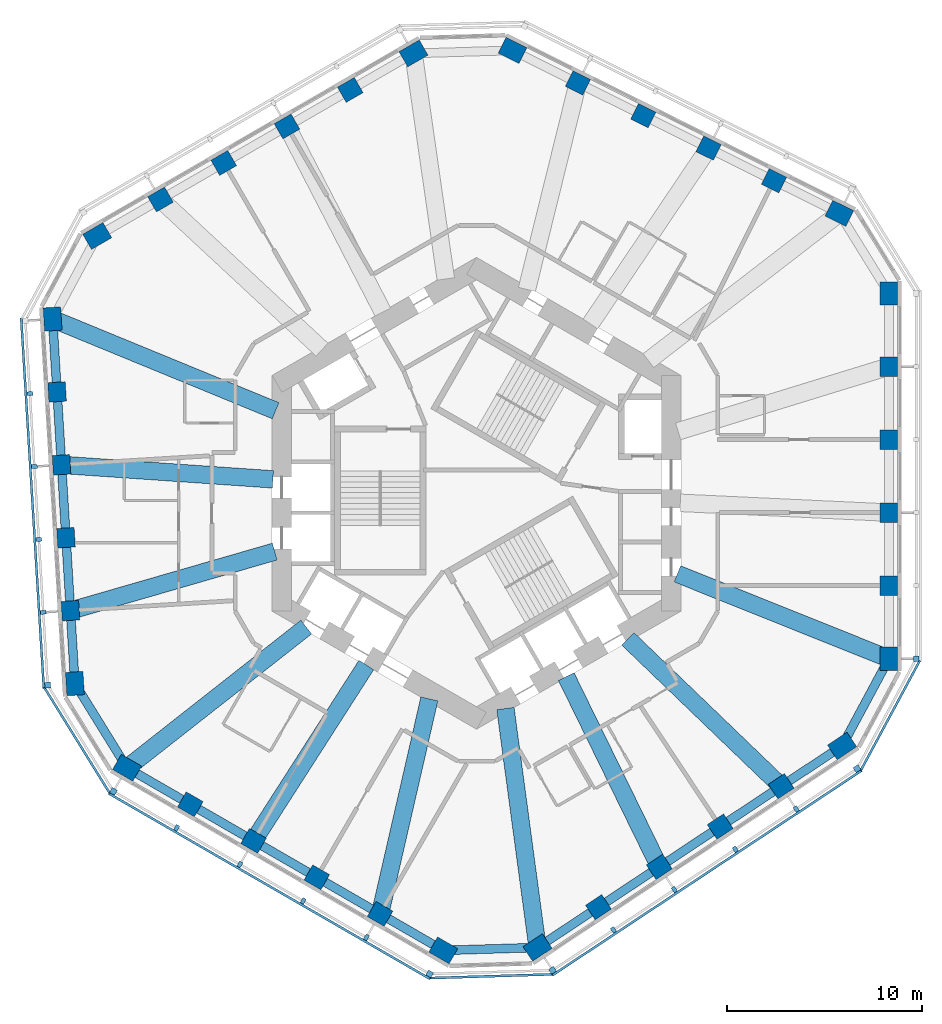
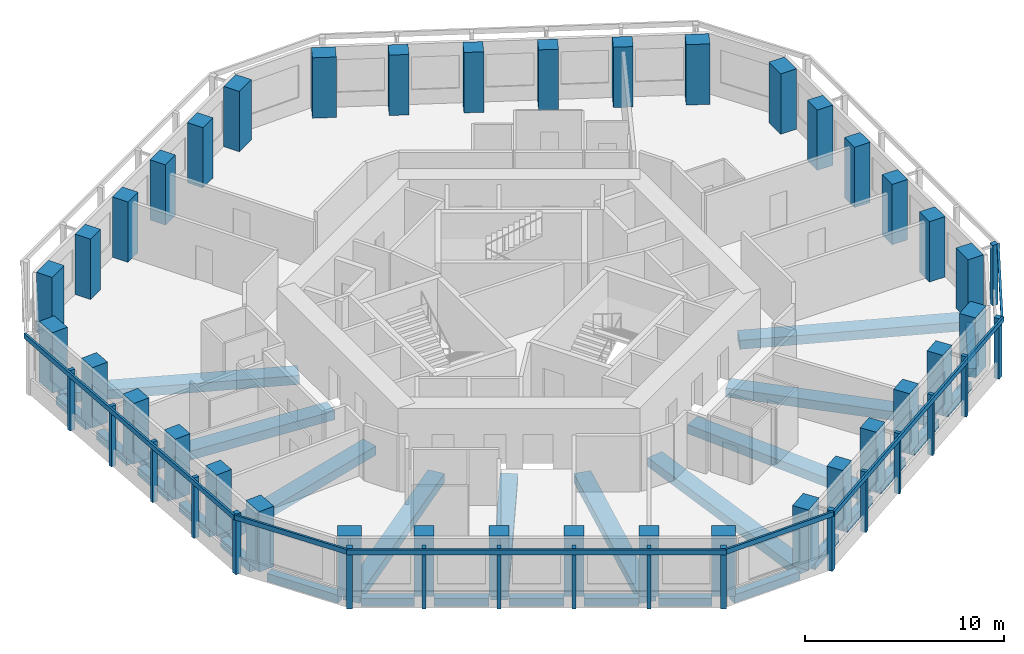
# One storey, part 1 of 11: 36 columns, 28 beams, 24 members, 7 elements without a shape of their own.
"""IFC4 building model written with IfcOpenShell, lengths in metres."""

from ifc_helpers import new_model, si_unit, direction, frame, origin, origin_2d, place, context, subcontext, project, spatial, rectangle, extrude, material, material_profile, profile_set, type_object, element, aggregate, save


model = new_model("IFC4")

# Units and contexts
model_context = context("Model", 3, precision=1e-05, world=origin(), true_north=direction((0.0, 1.0)))
body_context = subcontext(model_context, "Body", "Model", "MODEL_VIEW")
ifc_project = project(units=[si_unit("LENGTHUNIT", "METRE"), si_unit("AREAUNIT", "SQUARE_METRE"), si_unit("VOLUMEUNIT", "CUBIC_METRE"), si_unit("PLANEANGLEUNIT", "RADIAN"), si_unit("MASSUNIT", "GRAM", prefix="KILO")], contexts=[model_context])

# Site, building, storey
site_placement = place(None, origin())
site = spatial("IfcSite", under=ifc_project, at=site_placement, CompositionType="ELEMENT")
building_placement = place(site_placement, origin())
building = spatial("IfcBuilding", under=site, at=building_placement, Name="Vanh Sen Convention Tower", CompositionType="ELEMENT")
storey_placement = place(building_placement, frame((0.0, 0.0, 176.199951171875)))
storey = spatial("IfcBuildingStorey", under=building, at=storey_placement, Name="L43", CompositionType="ELEMENT", Elevation=176.199951171875)

# Columns
ifc_material_1 = material(Name="Concrete C80/95", Category="concrete")
ifc_material_profile_1 = material_profile(ifc_material_1, rectangle(XDim=1.0, YDim=0.89990234375, at=origin_2d()), Name="RC 1000X900")
ifc_profile_set_1 = profile_set([ifc_material_profile_1], Name="Concrete C80/95")
column_type_1 = type_object("IfcColumnType", Name="Facade column 1000 x 900 C80/95", PredefinedType="COLUMN", material=ifc_profile_set_1)
for number, where, z_axis, x_axis, name in (
    (1, (21.199951171875, -4.746826171875, 0.0), (0.0, 0.0, 1.0), (0.0, 1.0, 0.0), "Facade column 02 L43"),
    (2, (21.199951171875, -0.992919921875, 0.0), (0.0, 0.0, 1.0), (0.0, 1.0, 0.0), "Facade column 03 L43"),
    (3, (21.199951171875, 2.76123046875, 0.0), (0.0, 0.0, 1.0), (0.0, 1.0, 0.0), "Facade column 04 L43"),
    (4, (21.199951171875, 6.515380859375, 0.0), (0.0, 0.0, 1.0), (0.0, 1.0, 0.0), "Facade column 05 L43"),
    (5, (15.290283203125, 16.0654296875, 0.0), (0.0, 0.0, 1.0), (-0.894934361602, 0.44619781311, 0.0), "Facade column 08 L43"),
    (6, (11.9306640625, 17.740478515625, 0.0), (0.0, 0.0, 1.0), (-0.894934361602, 0.44619781311, 0.0), "Facade column 09 L43"),
    (7, (8.57080078125, 19.41552734375, 0.0), (0.0, 0.0, 1.0), (-0.894934361602, 0.44619781311, 0.0), "Facade column 10 L43"),
    (8, (5.211181640625, 21.0908203125, 0.0), (0.0, 0.0, 1.0), (-0.894934361602, 0.44619781311, 0.0), "Facade column 11 L43"),
    (9, (-6.489013671875, 20.733154296875, 0.0), (0.0, 0.0, 1.0), (-0.866025403784, -0.5, 0.0), "Facade column 14 L43"),
    (10, (-9.740234375, 18.856201171875, 0.0), (0.0, 0.0, 1.0), (-0.866025403784, -0.5, 0.0), "Facade column 15 L43"),
    (11, (-12.991455078125, 16.97900390625, 0.0), (0.0, 0.0, 1.0), (-0.866025403784, -0.5, 0.0), "Facade column 16 L43"),
    (12, (-16.242431640625, 15.10205078125, 0.0), (0.0, 0.0, 1.0), (-0.866025403784, -0.5, 0.0), "Facade column 17 L43"),
    (13, (-21.55810546875, 5.208984375, 0.0), (0.0, 0.0, 1.0), (0.061048539535, -0.998134798422, 0.0), "Facade column 20 L43"),
    (14, (-21.3291015625, 1.4619140625, 0.0), (0.0, 0.0, 1.0), (0.061048539535, -0.998134798422, 0.0), "Facade column 21 L43"),
    (15, (-21.099853515625, -2.28515625, 0.0), (0.0, 0.0, 1.0), (0.061048539535, -0.998134798422, 0.0), "Facade column 22 L43"),
    (16, (-20.87060546875, -6.0322265625, 0.0), (0.0, 0.0, 1.0), (0.061048539535, -0.998134798422, 0.0), "Facade column 23 L43"),
    (17, (-14.7109375, -15.986328125, 0.0), (0.0, 0.0, 1.0), (0.866025403784, -0.5, 0.0), "Facade column 26 L43"),
    (18, (-11.459716796875, -17.86328125, 0.0), (0.0, 0.0, 1.0), (0.866025403784, -0.5, 0.0), "Facade column 27 L43"),
    (19, (-8.20849609375, -19.740478515625, 0.0), (0.0, 0.0, 1.0), (0.866025403784, -0.5, 0.0), "Facade column 28 L43"),
    (20, (-4.95751953125, -21.617431640625, 0.0), (0.0, 0.0, 1.0), (0.866025403784, -0.5, 0.0), "Facade column 29 L43"),
    (21, (6.267822265625, -21.2744140625, 0.0), (0.0, 0.0, 1.0), (0.833885822067, 0.551936985312, 0.0), "Facade column 32 L43"),
    (22, (9.3984375, -19.202392578125, 0.0), (0.0, 0.0, 1.0), (0.833885822067, 0.551936985312, 0.0), "Facade column 33 L43"),
    (23, (12.52880859375, -17.13037109375, 0.0), (0.0, 0.0, 1.0), (0.833885822067, 0.551936985312, 0.0), "Facade column 34 L43"),
    (24, (15.659423828125, -15.058349609375, 0.0), (0.0, 0.0, 1.0), (0.833885822067, 0.551936985312, 0.0), "Facade column 35 L43"),
):
    element("IfcColumn", number, at=place(storey_placement, frame(where, z_axis=z_axis, x_axis=x_axis)), inside=storey, type_object=column_type_1, Name=name, PredefinedType="COLUMN", context=body_context, shape_type="SweptSolid", body=[
        extrude(rectangle(XDim=1.0, YDim=0.89990234375, at=origin_2d()), origin(), (0.0, 0.0, 1.0), 3.699951171875),
    ])
ifc_material_profile_2 = material_profile(ifc_material_1, rectangle(XDim=1.199951171875, YDim=0.89990234375, at=origin_2d()), Name="RC 1200X900")
ifc_profile_set_2 = profile_set([ifc_material_profile_2], Name="Concrete C80/95")
column_type_2 = type_object("IfcColumnType", Name="Facade corner column 1200 x 900 C80/95", PredefinedType="COLUMN", material=ifc_profile_set_2)
for number, where, z_axis, x_axis, name in (
    (25, (21.199951171875, -8.5009765625, 0.0), (0.0, 0.0, 1.0), (0.0, 1.0, 0.0), "Facade column 01 L43"),
    (26, (21.199951171875, 10.26953125, 0.0), (0.0, 0.0, 1.0), (0.0, 1.0, 0.0), "Facade column 06 L43"),
    (27, (18.64990234375, 14.390380859375, 0.0), (0.0, 0.0, 1.0), (-0.894934361602, 0.44619781311, 0.0), "Facade column 07 L43"),
    (28, (1.8515625, 22.765625, 0.0), (0.0, 0.0, 1.0), (-0.894934361602, 0.44619781311, 0.0), "Facade column 12 L43"),
    (29, (-3.23779296875, 22.610107421875, 0.0), (0.0, 0.0, 1.0), (-0.866025403784, -0.5, 0.0), "Facade column 13 L43"),
    (30, (-19.49365234375, 13.22509765625, 0.0), (0.0, 0.0, 1.0), (-0.866025403784, -0.5, 0.0), "Facade column 18 L43"),
    (31, (-21.787353515625, 8.956298828125, 0.0), (0.0, 0.0, 1.0), (0.061048539535, -0.998134798422, 0.0), "Facade column 19 L43"),
    (32, (-20.6416015625, -9.779296875, 0.0), (0.0, 0.0, 1.0), (0.061048539535, -0.998134798422, 0.0), "Facade column 24 L43"),
    (33, (-17.962158203125, -14.109130859375, 0.0), (0.0, 0.0, 1.0), (0.866025403784, -0.5, 0.0), "Facade column 25 L43"),
    (34, (-1.706298828125, -23.494384765625, 0.0), (0.0, 0.0, 1.0), (0.866025403784, -0.5, 0.0), "Facade column 30 L43"),
    (35, (3.137451171875, -23.346435546875, 0.0), (0.0, 0.0, 1.0), (0.833885822067, 0.551936985312, 0.0), "Facade column 31 L43"),
    (36, (18.789794921875, -12.986328125, 0.0), (0.0, 0.0, 1.0), (0.833885822067, 0.551936985312, 0.0), "Facade column 36 L43"),
):
    element("IfcColumn", number, at=place(storey_placement, frame(where, z_axis=z_axis, x_axis=x_axis)), inside=storey, type_object=column_type_2, Name=name, PredefinedType="COLUMN", context=body_context, shape_type="SweptSolid", body=[
        extrude(rectangle(XDim=1.199951171875, YDim=0.89990234375, at=origin_2d()), origin(), (0.0, 0.0, 1.0), 3.699951171875),
    ])

# Curtain wall, member
ifc_material_2 = material(Name="Concrete C50/60", Category="concrete")
curtain_wall_type = type_object("IfcCurtainWallType", Name="Outer skin office zone", PredefinedType="NOTDEFINED", material=ifc_material_2)
curtain_wall_1_placement = place(storey_placement, origin())
curtain_wall_1 = element("IfcCurtainWall", 37, at=curtain_wall_1_placement, inside=storey, type_object=curtain_wall_type, Name="OUTER SKIN E L43", PredefinedType="NOTDEFINED")
ifc_material_profile_3 = material_profile(ifc_material_2, rectangle(XDim=0.300048828125, YDim=0.300048828125, at=origin_2d()), Name="Outer skin precast corner fin 300 x 300")
ifc_profile_set_3 = profile_set([ifc_material_profile_3], Name="Concrete C50/60")
member_type_1 = type_object("IfcMemberType", Name="Outer skin precast corner fin 300 x 300", PredefinedType="MULLION", material=ifc_profile_set_3)
member_1_placement = place(storey_placement, frame((22.60009765625, -8.5009765625, 0.0), z_axis=(0.0, 0.0, 1.0), x_axis=(0.0, 1.0, 0.0)))
member_1 = element("IfcMember", 38, at=member_1_placement, type_object=member_type_1, Name="OUTER SKIN CORNER FIN 1 E L43", PredefinedType="MULLION", context=body_context, shape_type="SweptSolid", body=[
    extrude(rectangle(XDim=0.300048828125, YDim=0.300048828125, at=origin_2d()), origin(), (0.0, 0.0, 1.0), 3.699951171875),
])
aggregate(curtain_wall_1, [member_1])

curtain_wall_2_placement = place(storey_placement, origin())
curtain_wall_2 = element("IfcCurtainWall", 39, at=curtain_wall_2_placement, inside=storey, type_object=curtain_wall_type, Name="OUTER SKIN W L43", PredefinedType="NOTDEFINED")
member_2_placement = place(storey_placement, frame((-22.038818359375, -9.864990234375, 0.0), z_axis=(0.0, 0.0, 1.0), x_axis=(0.061048539535, -0.998134798422, 0.0)))
member_2 = element("IfcMember", 40, at=member_2_placement, type_object=member_type_1, Name="OUTER SKIN CORNER FIN 6 W L43", PredefinedType="MULLION", context=body_context, shape_type="SweptSolid", body=[
    extrude(rectangle(XDim=0.300048828125, YDim=0.300048828125, at=origin_2d()), origin(), (0.0, 0.0, 1.0), 3.699951171875),
])

# Curtain wall, members
curtain_wall_3_placement = place(storey_placement, origin())
curtain_wall_3 = element("IfcCurtainWall", 41, at=curtain_wall_3_placement, inside=storey, type_object=curtain_wall_type, Name="OUTER SKIN SW L43", PredefinedType="NOTDEFINED")
member_3_placement = place(storey_placement, frame((-18.662109375, -15.321533203125, 0.0), z_axis=(0.0, 0.0, 1.0), x_axis=(0.866025403784, -0.5, 0.0)))
member_3 = element("IfcMember", 42, at=member_3_placement, type_object=member_type_1, Name="OUTER SKIN CORNER FIN 1 SW L43", PredefinedType="MULLION", context=body_context, shape_type="SweptSolid", body=[
    extrude(rectangle(XDim=0.300048828125, YDim=0.300048828125, at=origin_2d()), origin(), (0.0, 0.0, 1.0), 3.699951171875),
])
member_4_placement = place(storey_placement, frame((-2.40625, -24.706787109375, 0.0), z_axis=(0.0, 0.0, 1.0), x_axis=(0.866025403784, -0.5, 0.0)))
member_4 = element("IfcMember", 43, at=member_4_placement, type_object=member_type_1, Name="OUTER SKIN CORNER FIN 6 SW L43", PredefinedType="MULLION", context=body_context, shape_type="SweptSolid", body=[
    extrude(rectangle(XDim=0.300048828125, YDim=0.300048828125, at=origin_2d()), origin(), (0.0, 0.0, 1.0), 3.699951171875),
])

curtain_wall_4_placement = place(storey_placement, origin())
curtain_wall_4 = element("IfcCurtainWall", 44, at=curtain_wall_4_placement, inside=storey, type_object=curtain_wall_type, Name="OUTER SKIN SE L43", PredefinedType="NOTDEFINED")
member_5_placement = place(storey_placement, frame((3.91015625, -24.513916015625, 0.0), z_axis=(0.0, 0.0, 1.0), x_axis=(0.833885822067, 0.551936985312, 0.0)))
member_5 = element("IfcMember", 45, at=member_5_placement, type_object=member_type_1, Name="OUTER SKIN CORNER FIN 1 SE L43", PredefinedType="MULLION", context=body_context, shape_type="SweptSolid", body=[
    extrude(rectangle(XDim=0.300048828125, YDim=0.300048828125, at=origin_2d()), origin(), (0.0, 0.0, 1.0), 3.699951171875),
])
member_6_placement = place(storey_placement, frame((19.5625, -14.15380859375, 0.0), z_axis=(0.0, 0.0, 1.0), x_axis=(0.833885822067, 0.551936985312, 0.0)))
member_6 = element("IfcMember", 46, at=member_6_placement, type_object=member_type_1, Name="OUTER SKIN CORNER FIN 6 SE L43", PredefinedType="MULLION", context=body_context, shape_type="SweptSolid", body=[
    extrude(rectangle(XDim=0.300048828125, YDim=0.300048828125, at=origin_2d()), origin(), (0.0, 0.0, 1.0), 3.699951171875),
])

# Member
ifc_material_profile_4 = material_profile(ifc_material_2, rectangle(XDim=0.199951171875, YDim=0.300048828125, at=origin_2d()), Name="Outer skin precast fin 200 x 300")
ifc_profile_set_4 = profile_set([ifc_material_profile_4], Name="Concrete C50/60")
member_type_2 = type_object("IfcMemberType", Name="Outer skin precast fin 200 x 300", PredefinedType="MULLION", material=ifc_profile_set_4)
member_7_placement = place(storey_placement, frame((-22.95556640625, 5.12353515625, 0.0), z_axis=(0.0, 0.0, 1.0), x_axis=(0.061048539535, -0.998134798422, 0.0)))
member_7 = element("IfcMember", 47, at=member_7_placement, type_object=member_type_2, Name="OUTER SKIN fin 2 W L43", PredefinedType="MULLION", context=body_context, shape_type="SweptSolid", body=[
    extrude(rectangle(XDim=0.199951171875, YDim=0.300048828125, at=origin_2d()), origin(), (0.0, 0.0, 1.0), 3.699951171875),
])

member_8_placement = place(storey_placement, frame((-22.726318359375, 1.37646484375, 0.0), z_axis=(0.0, 0.0, 1.0), x_axis=(0.061048539535, -0.998134798422, 0.0)))
member_8 = element("IfcMember", 48, at=member_8_placement, type_object=member_type_2, Name="OUTER SKIN fin 3 W L43", PredefinedType="MULLION", context=body_context, shape_type="SweptSolid", body=[
    extrude(rectangle(XDim=0.199951171875, YDim=0.300048828125, at=origin_2d()), origin(), (0.0, 0.0, 1.0), 3.699951171875),
])

member_9_placement = place(storey_placement, frame((-22.497314453125, -2.37060546875, 0.0), z_axis=(0.0, 0.0, 1.0), x_axis=(0.061048539535, -0.998134798422, 0.0)))
member_9 = element("IfcMember", 49, at=member_9_placement, type_object=member_type_2, Name="OUTER SKIN fin 4 W L43", PredefinedType="MULLION", context=body_context, shape_type="SweptSolid", body=[
    extrude(rectangle(XDim=0.199951171875, YDim=0.300048828125, at=origin_2d()), origin(), (0.0, 0.0, 1.0), 3.699951171875),
])

member_10_placement = place(storey_placement, frame((-22.26806640625, -6.117919921875, 0.0), z_axis=(0.0, 0.0, 1.0), x_axis=(0.061048539535, -0.998134798422, 0.0)))
member_10 = element("IfcMember", 50, at=member_10_placement, type_object=member_type_2, Name="OUTER SKIN fin 5 W L43", PredefinedType="MULLION", context=body_context, shape_type="SweptSolid", body=[
    extrude(rectangle(XDim=0.199951171875, YDim=0.300048828125, at=origin_2d()), origin(), (0.0, 0.0, 1.0), 3.699951171875),
])

member_11_placement = place(storey_placement, frame((-15.410888671875, -17.19873046875, 0.0), z_axis=(0.0, 0.0, 1.0), x_axis=(0.866025403784, -0.5, 0.0)))
member_11 = element("IfcMember", 51, at=member_11_placement, type_object=member_type_2, Name="OUTER SKIN fin 2 SW L43", PredefinedType="MULLION", context=body_context, shape_type="SweptSolid", body=[
    extrude(rectangle(XDim=0.199951171875, YDim=0.300048828125, at=origin_2d()), origin(), (0.0, 0.0, 1.0), 3.699951171875),
])

member_12_placement = place(storey_placement, frame((-12.159912109375, -19.07568359375, 0.0), z_axis=(0.0, 0.0, 1.0), x_axis=(0.866025403784, -0.5, 0.0)))
member_12 = element("IfcMember", 52, at=member_12_placement, type_object=member_type_2, Name="OUTER SKIN fin 3 SW L43", PredefinedType="MULLION", context=body_context, shape_type="SweptSolid", body=[
    extrude(rectangle(XDim=0.199951171875, YDim=0.300048828125, at=origin_2d()), origin(), (0.0, 0.0, 1.0), 3.699951171875),
])

member_13_placement = place(storey_placement, frame((-8.90869140625, -20.952880859375, 0.0), z_axis=(0.0, 0.0, 1.0), x_axis=(0.866025403784, -0.5, 0.0)))
member_13 = element("IfcMember", 53, at=member_13_placement, type_object=member_type_2, Name="OUTER SKIN fin 4 SW L43", PredefinedType="MULLION", context=body_context, shape_type="SweptSolid", body=[
    extrude(rectangle(XDim=0.199951171875, YDim=0.300048828125, at=origin_2d()), origin(), (0.0, 0.0, 1.0), 3.699951171875),
])

member_14_placement = place(storey_placement, frame((-5.657470703125, -22.829833984375, 0.0), z_axis=(0.0, 0.0, 1.0), x_axis=(0.866025403784, -0.5, 0.0)))
member_14 = element("IfcMember", 54, at=member_14_placement, type_object=member_type_2, Name="OUTER SKIN fin 5 SW L43", PredefinedType="MULLION", context=body_context, shape_type="SweptSolid", body=[
    extrude(rectangle(XDim=0.199951171875, YDim=0.300048828125, at=origin_2d()), origin(), (0.0, 0.0, 1.0), 3.699951171875),
])

member_15_placement = place(storey_placement, frame((7.04052734375, -22.44189453125, 0.0), z_axis=(0.0, 0.0, 1.0), x_axis=(0.833885822067, 0.551936985312, 0.0)))
member_15 = element("IfcMember", 55, at=member_15_placement, type_object=member_type_2, Name="OUTER SKIN fin 2 SE L43", PredefinedType="MULLION", context=body_context, shape_type="SweptSolid", body=[
    extrude(rectangle(XDim=0.199951171875, YDim=0.300048828125, at=origin_2d()), origin(), (0.0, 0.0, 1.0), 3.699951171875),
])

member_16_placement = place(storey_placement, frame((10.171142578125, -20.369873046875, 0.0), z_axis=(0.0, 0.0, 1.0), x_axis=(0.833885822067, 0.551936985312, 0.0)))
member_16 = element("IfcMember", 56, at=member_16_placement, type_object=member_type_2, Name="OUTER SKIN fin 3 SE L43", PredefinedType="MULLION", context=body_context, shape_type="SweptSolid", body=[
    extrude(rectangle(XDim=0.199951171875, YDim=0.300048828125, at=origin_2d()), origin(), (0.0, 0.0, 1.0), 3.699951171875),
])

member_17_placement = place(storey_placement, frame((13.301513671875, -18.2978515625, 0.0), z_axis=(0.0, 0.0, 1.0), x_axis=(0.833885822067, 0.551936985312, 0.0)))
member_17 = element("IfcMember", 57, at=member_17_placement, type_object=member_type_2, Name="OUTER SKIN fin 4 SE L43", PredefinedType="MULLION", context=body_context, shape_type="SweptSolid", body=[
    extrude(rectangle(XDim=0.199951171875, YDim=0.300048828125, at=origin_2d()), origin(), (0.0, 0.0, 1.0), 3.699951171875),
])

member_18_placement = place(storey_placement, frame((16.43212890625, -16.225830078125, 0.0), z_axis=(0.0, 0.0, 1.0), x_axis=(0.833885822067, 0.551936985312, 0.0)))
member_18 = element("IfcMember", 58, at=member_18_placement, type_object=member_type_2, Name="OUTER SKIN fin 5 SE L43", PredefinedType="MULLION", context=body_context, shape_type="SweptSolid", body=[
    extrude(rectangle(XDim=0.199951171875, YDim=0.300048828125, at=origin_2d()), origin(), (0.0, 0.0, 1.0), 3.699951171875),
])

ifc_material_profile_5 = material_profile(ifc_material_2, rectangle(XDim=0.1201171875, YDim=0.300048828125, at=origin_2d()), Name="Outer skin precast spandrel band 300 x 120")
ifc_profile_set_5 = profile_set([ifc_material_profile_5], Name="Concrete C50/60")
member_type_3 = type_object("IfcMemberType", Name="Outer skin precast spandrel band 300 x 120", PredefinedType="USERDEFINED", material=ifc_profile_set_5)
member_19_placement = place(storey_placement, frame((-23.403564453125, 9.007568359375, 3.550048828125), z_axis=(0.061052799403, -0.998134537868, 0.0), x_axis=(0.998134537868, 0.061052799403, 0.0)))
member_19 = element("IfcMember", 59, at=member_19_placement, type_object=member_type_3, Name="OUTER SKIN spandrel band W L43", ObjectType="TRANSOM", PredefinedType="USERDEFINED", context=body_context, shape_type="SweptSolid", body=[
    extrude(rectangle(XDim=0.1201171875, YDim=0.300048828125, at=origin_2d()), origin(), (0.0, 0.0, 1.0), 19.070556640625),
])

aggregate(curtain_wall_2, [member_7, member_8, member_9, member_10, member_2, member_19])

# Curtain wall, member
curtain_wall_5_placement = place(storey_placement, origin())
curtain_wall_5 = element("IfcCurtainWall", 60, at=curtain_wall_5_placement, inside=storey, type_object=curtain_wall_type, Name="OUTER SKIN CH4 L43", PredefinedType="NOTDEFINED")
member_20_placement = place(storey_placement, frame((-22.217529296875, -9.975341796875, 3.550048828125), z_axis=(0.526207913146, -0.85035594438, 0.0), x_axis=(0.85035594438, 0.526207913146, 0.0)))
member_20 = element("IfcMember", 61, at=member_20_placement, type_object=member_type_3, Name="OUTER SKIN spandrel band CH4 L43", ObjectType="TRANSOM", PredefinedType="USERDEFINED", context=body_context, shape_type="SweptSolid", body=[
    extrude(rectangle(XDim=0.1201171875, YDim=0.300048828125, at=origin_2d()), origin(), (0.0, 0.0, 1.0), 6.4169921875),
])
aggregate(curtain_wall_5, [member_20])

# Member
member_21_placement = place(storey_placement, frame((-18.89697265625, -15.428466796875, 3.550048828125), z_axis=(0.866023136587, -0.500003926881, 0.0), x_axis=(0.500003926881, 0.866023136587, 0.0)))
member_21 = element("IfcMember", 62, at=member_21_placement, type_object=member_type_3, Name="OUTER SKIN spandrel band SW L43", ObjectType="TRANSOM", PredefinedType="USERDEFINED", context=body_context, shape_type="SweptSolid", body=[
    extrude(rectangle(XDim=0.1201171875, YDim=0.300048828125, at=origin_2d()), origin(), (0.0, 0.0, 1.0), 19.070556640625),
])

aggregate(curtain_wall_3, [member_3, member_11, member_12, member_13, member_14, member_4, member_21])

# Curtain wall, member
curtain_wall_6_placement = place(storey_placement, origin())
curtain_wall_6 = element("IfcCurtainWall", 63, at=curtain_wall_6_placement, inside=storey, type_object=curtain_wall_type, Name="OUTER SKIN CH5 L43", PredefinedType="NOTDEFINED")
member_22_placement = place(storey_placement, frame((-2.39990234375, -24.916748046875, 3.550048828125), z_axis=(0.99953413443, 0.030520716071, 0.0), x_axis=(-0.030520716071, 0.99953413443, 0.0)))
member_22 = element("IfcMember", 64, at=member_22_placement, type_object=member_type_3, Name="OUTER SKIN spandrel band CH5 L43", ObjectType="TRANSOM", PredefinedType="USERDEFINED", context=body_context, shape_type="SweptSolid", body=[
    extrude(rectangle(XDim=0.1201171875, YDim=0.300048828125, at=origin_2d()), origin(), (0.0, 0.0, 1.0), 6.3193359375),
])
aggregate(curtain_wall_6, [member_22])

# Member
member_23_placement = place(storey_placement, frame((3.90087890625, -24.771728515625, 3.550048828125), z_axis=(0.833891134859, 0.551928958475, 0.0), x_axis=(-0.551928958475, 0.833891134859, 0.0)))
member_23 = element("IfcMember", 65, at=member_23_placement, type_object=member_type_3, Name="OUTER SKIN spandrel band SE L43", ObjectType="TRANSOM", PredefinedType="USERDEFINED", context=body_context, shape_type="SweptSolid", body=[
    extrude(rectangle(XDim=0.1201171875, YDim=0.300048828125, at=origin_2d()), origin(), (0.0, 0.0, 1.0), 19.070556640625),
])

aggregate(curtain_wall_4, [member_5, member_15, member_16, member_17, member_18, member_6, member_23])

# Curtain wall, member
curtain_wall_7_placement = place(storey_placement, origin())
curtain_wall_7 = element("IfcCurtainWall", 66, at=curtain_wall_7_placement, inside=storey, type_object=curtain_wall_type, Name="OUTER SKIN CH6 L43", PredefinedType="NOTDEFINED")
member_24_placement = place(storey_placement, frame((19.74755859375, -14.253173828125, 3.550048828125), z_axis=(0.473316922434, 0.880892213008, 0.0), x_axis=(-0.880892213008, 0.473316922434, 0.0)))
member_24 = element("IfcMember", 67, at=member_24_placement, type_object=member_type_3, Name="OUTER SKIN spandrel band CH6 L43", ObjectType="TRANSOM", PredefinedType="USERDEFINED", context=body_context, shape_type="SweptSolid", body=[
    extrude(rectangle(XDim=0.1201171875, YDim=0.300048828125, at=origin_2d()), origin(), (0.0, 0.0, 1.0), 6.417236328125),
])
aggregate(curtain_wall_7, [member_24])

# Beams
ifc_material_3 = material(Name="Concrete C50/60", Category="concrete")
ifc_material_profile_6 = material_profile(ifc_material_3, rectangle(XDim=0.89990234375, YDim=0.550048828125, at=origin_2d()), Name="RC 900X550")
ifc_profile_set_6 = profile_set([ifc_material_profile_6], Name="Concrete C50/60")
beam_type_1 = type_object("IfcBeamType", Name="Radial floor beam 900 x 550", PredefinedType="BEAM", material=ifc_profile_set_6)
beam_1_placement = place(storey_placement, frame((20.922119140625, -8.3896484375, -0.554931640625), z_axis=(-0.928156247891, 0.372190783739, 0.0), x_axis=(-0.372190783739, -0.928156247891, 0.0)))
element("IfcBeam", 68, at=beam_1_placement, inside=storey, type_object=beam_type_1, Name="Radial beam 01 L43", PredefinedType="BEAM", context=body_context, shape_type="SweptSolid", body=[
    extrude(rectangle(XDim=0.89990234375, YDim=0.550048828125, at=origin_2d()), origin(), (0.0, 0.0, 1.0), 11.414306640625),
])
beam_2_placement = place(storey_placement, frame((-21.53125, 8.850830078125, -0.554931640625), z_axis=(0.92490243395, -0.380204533998, 0.0), x_axis=(0.380204533998, 0.92490243395, 0.0)))
element("IfcBeam", 69, at=beam_2_placement, inside=storey, type_object=beam_type_1, Name="Radial beam 10 L43", PredefinedType="BEAM", context=body_context, shape_type="SweptSolid", body=[
    extrude(rectangle(XDim=0.89990234375, YDim=0.550048828125, at=origin_2d()), origin(), (0.0, 0.0, 1.0), 12.116943359375),
])
beam_3_placement = place(storey_placement, frame((-20.939697265625, 1.435302734375, -0.554931640625), z_axis=(0.997659241785, -0.068381556588, 0.0), x_axis=(0.068381556588, 0.997659241785, 0.0)))
element("IfcBeam", 70, at=beam_3_placement, inside=storey, type_object=beam_type_1, Name="Radial beam 11 L43", PredefinedType="BEAM", context=body_context, shape_type="SweptSolid", body=[
    extrude(rectangle(XDim=0.89990234375, YDim=0.550048828125, at=origin_2d()), origin(), (0.0, 0.0, 1.0), 10.500244140625),
])
beam_4_placement = place(storey_placement, frame((-20.60791015625, -5.956298828125, -0.554931640625), z_axis=(0.960679153389, 0.277660879932, 0.0), x_axis=(-0.277660879932, 0.960679153389, 0.0)))
element("IfcBeam", 71, at=beam_4_placement, inside=storey, type_object=beam_type_1, Name="Radial beam 12 L43", PredefinedType="BEAM", context=body_context, shape_type="SweptSolid", body=[
    extrude(rectangle(XDim=0.89990234375, YDim=0.550048828125, at=origin_2d()), origin(), (0.0, 0.0, 1.0), 10.65673828125),
])
beam_5_placement = place(storey_placement, frame((-17.726806640625, -13.92431640625, -0.554931640625), z_axis=(0.786405168583, 0.61771102534, 0.0), x_axis=(-0.61771102534, 0.786405168583, 0.0)))
element("IfcBeam", 72, at=beam_5_placement, inside=storey, type_object=beam_type_1, Name="Radial beam 13 L43", PredefinedType="BEAM", context=body_context, shape_type="SweptSolid", body=[
    extrude(rectangle(XDim=0.89990234375, YDim=0.550048828125, at=origin_2d()), origin(), (0.0, 0.0, 1.0), 11.414306640625),
])
beam_6_placement = place(storey_placement, frame((-11.230712890625, -17.506103515625, -0.554931640625), z_axis=(0.539962921318, 0.841688804489, 0.0), x_axis=(-0.841688804489, 0.539962921318, 0.0)))
element("IfcBeam", 73, at=beam_6_placement, inside=storey, type_object=beam_type_1, Name="Radial beam 14 L43", PredefinedType="BEAM", context=body_context, shape_type="SweptSolid", body=[
    extrude(rectangle(XDim=0.89990234375, YDim=0.550048828125, at=origin_2d()), origin(), (0.0, 0.0, 1.0), 10.3134765625),
])
beam_7_placement = place(storey_placement, frame((-4.905517578125, -21.390625, -0.554931640625), z_axis=(0.223529773199, 0.974697101921, 0.0), x_axis=(-0.974697101921, 0.223529773199, 0.0)))
element("IfcBeam", 74, at=beam_7_placement, inside=storey, type_object=beam_type_1, Name="Radial beam 15 L43", PredefinedType="BEAM", context=body_context, shape_type="SweptSolid", body=[
    extrude(rectangle(XDim=0.89990234375, YDim=0.550048828125, at=origin_2d()), origin(), (0.0, 0.0, 1.0), 11.1044921875),
])
beam_8_placement = place(storey_placement, frame((3.1005859375, -23.072021484375, -0.554931640625), z_axis=(-0.133182520442, 0.991091527685, 0.0), x_axis=(-0.991091527685, -0.133182520442, 0.0)))
element("IfcBeam", 75, at=beam_8_placement, inside=storey, type_object=beam_type_1, Name="Radial beam 16 L43", PredefinedType="BEAM", context=body_context, shape_type="SweptSolid", body=[
    extrude(rectangle(XDim=0.89990234375, YDim=0.550048828125, at=origin_2d()), origin(), (0.0, 0.0, 1.0), 12.116943359375),
])
beam_9_placement = place(storey_placement, frame((9.226806640625, -18.85205078125, -0.554931640625), z_axis=(-0.439589583386, 0.898198752047, 0.0), x_axis=(-0.898198752047, -0.439589583386, 0.0)))
element("IfcBeam", 76, at=beam_9_placement, inside=storey, type_object=beam_type_1, Name="Radial beam 17 L43", PredefinedType="BEAM", context=body_context, shape_type="SweptSolid", body=[
    extrude(rectangle(XDim=0.89990234375, YDim=0.550048828125, at=origin_2d()), origin(), (0.0, 0.0, 1.0), 10.5),
])
beam_10_placement = place(storey_placement, frame((15.462158203125, -14.868896484375, -0.554931640625), z_axis=(-0.720797844742, 0.693145343356, 0.0), x_axis=(-0.693145343356, -0.720797844742, 0.0)))
element("IfcBeam", 77, at=beam_10_placement, inside=storey, type_object=beam_type_1, Name="Radial beam 18 L43", PredefinedType="BEAM", context=body_context, shape_type="SweptSolid", body=[
    extrude(rectangle(XDim=0.89990234375, YDim=0.550048828125, at=origin_2d()), origin(), (0.0, 0.0, 1.0), 10.656494140625),
])
ifc_material_profile_7 = material_profile(ifc_material_3, rectangle(XDim=0.449951171875, YDim=0.5, at=origin_2d()), Name="RC 450X500")
ifc_profile_set_7 = profile_set([ifc_material_profile_7], Name="Concrete C50/60")
beam_type_2 = type_object("IfcBeamType", Name="Spandrel beam 450 x 500", PredefinedType="SPANDREL", material=ifc_profile_set_7)
beam_11_placement = place(storey_placement, frame((-21.751220703125, 8.3623046875, -0.530029296875), z_axis=(0.061123105648, -0.998130234967, 0.0), x_axis=(0.998130234967, 0.061123105648, 0.0)))
element("IfcBeam", 78, at=beam_11_placement, inside=storey, type_object=beam_type_2, Name="Spandrel beam 19 L43", PredefinedType="SPANDREL", context=body_context, shape_type="SweptSolid", body=[
    extrude(rectangle(XDim=0.449951171875, YDim=0.5, at=origin_2d()), origin(), (0.0, 0.0, 1.0), 2.6640625),
])
for number, where, z_axis, x_axis, name in (
    (79, (-21.528076171875, 4.715087890625, -0.530029296875), (0.061113654492, -0.998130813689, 0.0), (0.998130813689, 0.061113654492, 0.0), "Spandrel beam 20 L43"),
    (80, (-21.298828125, 0.968017578125, -0.530029296875), (0.061113654492, -0.998130813689, 0.0), (0.998130813689, 0.061113654492, 0.0), "Spandrel beam 21 L43"),
):
    element("IfcBeam", number, at=place(storey_placement, frame(where, z_axis=z_axis, x_axis=x_axis)), inside=storey, type_object=beam_type_2, Name=name, PredefinedType="SPANDREL", context=body_context, shape_type="SweptSolid", body=[
        extrude(rectangle(XDim=0.449951171875, YDim=0.5, at=origin_2d()), origin(), (0.0, 0.0, 1.0), 2.764404296875),
    ])
beam_12_placement = place(storey_placement, frame((-21.069580078125, -2.779296875, -0.530029296875), z_axis=(0.061036429863, -0.998135539007, 0.0), x_axis=(0.998135539007, 0.061036429863, 0.0)))
element("IfcBeam", 81, at=beam_12_placement, inside=storey, type_object=beam_type_2, Name="Spandrel beam 22 L43", PredefinedType="SPANDREL", context=body_context, shape_type="SweptSolid", body=[
    extrude(rectangle(XDim=0.449951171875, YDim=0.5, at=origin_2d()), origin(), (0.0, 0.0, 1.0), 2.763916015625),
])
beam_13_placement = place(storey_placement, frame((-20.840576171875, -6.5263671875, -0.530029296875), z_axis=(0.061123105648, -0.998130234967, 0.0), x_axis=(0.998130234967, 0.061123105648, 0.0)))
element("IfcBeam", 82, at=beam_13_placement, inside=storey, type_object=beam_type_2, Name="Spandrel beam 23 L43", PredefinedType="SPANDREL", context=body_context, shape_type="SweptSolid", body=[
    extrude(rectangle(XDim=0.449951171875, YDim=0.5, at=origin_2d()), origin(), (0.0, 0.0, 1.0), 2.6640625),
])
beam_14_placement = place(storey_placement, frame((-20.3642578125, -10.2275390625, -0.530029296875), z_axis=(0.526210982295, -0.850354045156, 0.0), x_axis=(0.850354045156, 0.526210982295, 0.0)))
element("IfcBeam", 83, at=beam_14_placement, inside=storey, type_object=beam_type_2, Name="Spandrel beam 24 L43", PredefinedType="SPANDREL", context=body_context, shape_type="SweptSolid", body=[
    extrude(rectangle(XDim=0.449951171875, YDim=0.5, at=origin_2d()), origin(), (0.0, 0.0, 1.0), 4.037841796875),
])
beam_15_placement = place(storey_placement, frame((-17.44677734375, -14.40673828125, -0.530029296875), z_axis=(0.866023818221, -0.500002746266, 0.0), x_axis=(0.500002746266, 0.866023818221, 0.0)))
element("IfcBeam", 84, at=beam_15_placement, inside=storey, type_object=beam_type_2, Name="Spandrel beam 25 L43", PredefinedType="SPANDREL", context=body_context, shape_type="SweptSolid", body=[
    extrude(rectangle(XDim=0.449951171875, YDim=0.5, at=origin_2d()), origin(), (0.0, 0.0, 1.0), 2.6640625),
])
beam_16_placement = place(storey_placement, frame((-14.2822265625, -16.23388671875, -0.530029296875), z_axis=(0.866060565847, -0.499939092575, 0.0), x_axis=(0.499939092575, 0.866060565847, 0.0)))
element("IfcBeam", 85, at=beam_16_placement, inside=storey, type_object=beam_type_2, Name="Spandrel beam 26 L43", PredefinedType="SPANDREL", context=body_context, shape_type="SweptSolid", body=[
    extrude(rectangle(XDim=0.449951171875, YDim=0.5, at=origin_2d()), origin(), (0.0, 0.0, 1.0), 2.763916015625),
])
for number, where, z_axis, x_axis, name in (
    (86, (-11.031005859375, -18.11083984375, -0.530029296875), (0.866022320763, -0.500005339912, 0.0), (0.500005339912, 0.866022320763, 0.0), "Spandrel beam 27 L43"),
    (87, (-7.77978515625, -19.98779296875, -0.530029296875), (0.865961984968, -0.500109828528, 0.0), (0.500109828528, 0.865961984968, 0.0), "Spandrel beam 28 L43"),
):
    element("IfcBeam", number, at=place(storey_placement, frame(where, z_axis=z_axis, x_axis=x_axis)), inside=storey, type_object=beam_type_2, Name=name, PredefinedType="SPANDREL", context=body_context, shape_type="SweptSolid", body=[
        extrude(rectangle(XDim=0.449951171875, YDim=0.5, at=origin_2d()), origin(), (0.0, 0.0, 1.0), 2.76416015625),
    ])
beam_17_placement = place(storey_placement, frame((-4.52880859375, -21.864990234375, -0.530029296875), z_axis=(0.866023818221, -0.500002746266, 0.0), x_axis=(0.500002746266, 0.866023818221, 0.0)))
element("IfcBeam", 88, at=beam_17_placement, inside=storey, type_object=beam_type_2, Name="Spandrel beam 29 L43", PredefinedType="SPANDREL", context=body_context, shape_type="SweptSolid", body=[
    extrude(rectangle(XDim=0.449951171875, YDim=0.5, at=origin_2d()), origin(), (0.0, 0.0, 1.0), 2.6640625),
])
beam_18_placement = place(storey_placement, frame((-1.219970703125, -23.4794921875, -0.530029296875), z_axis=(0.999534445971, 0.030510511595, 0.0), x_axis=(-0.030510511595, 0.999534445971, 0.0)))
element("IfcBeam", 89, at=beam_18_placement, inside=storey, type_object=beam_type_2, Name="Spandrel beam 30 L43", PredefinedType="SPANDREL", context=body_context, shape_type="SweptSolid", body=[
    extrude(rectangle(XDim=0.449951171875, YDim=0.5, at=origin_2d()), origin(), (0.0, 0.0, 1.0), 3.872802734375),
])
beam_19_placement = place(storey_placement, frame((3.633544921875, -23.01806640625, -0.530029296875), z_axis=(0.833864593577, 0.551969056722, 0.0), x_axis=(-0.551969056722, 0.833864593577, 0.0)))
element("IfcBeam", 90, at=beam_19_placement, inside=storey, type_object=beam_type_2, Name="Spandrel beam 31 L43", PredefinedType="SPANDREL", context=body_context, shape_type="SweptSolid", body=[
    extrude(rectangle(XDim=0.449951171875, YDim=0.5, at=origin_2d()), origin(), (0.0, 0.0, 1.0), 2.6640625),
])
for number, where, z_axis, x_axis, name in (
    (91, (6.6806640625, -21.001220703125, -0.530029296875), (0.833880195108, 0.551945486625, 0.0), (-0.551945486625, 0.833880195108, 0.0), "Spandrel beam 32 L43"),
    (92, (9.811279296875, -18.92919921875, -0.530029296875), (0.833880195108, 0.551945486625, 0.0), (-0.551945486625, 0.833880195108, 0.0), "Spandrel beam 33 L43"),
    (93, (12.941650390625, -16.857177734375, -0.530029296875), (0.833880195108, 0.551945486625, 0.0), (-0.551945486625, 0.833880195108, 0.0), "Spandrel beam 34 L43"),
):
    element("IfcBeam", number, at=place(storey_placement, frame(where, z_axis=z_axis, x_axis=x_axis)), inside=storey, type_object=beam_type_2, Name=name, PredefinedType="SPANDREL", context=body_context, shape_type="SweptSolid", body=[
        extrude(rectangle(XDim=0.449951171875, YDim=0.5, at=origin_2d()), origin(), (0.0, 0.0, 1.0), 2.76416015625),
    ])
beam_20_placement = place(storey_placement, frame((16.072265625, -14.78515625, -0.530029296875), z_axis=(0.833864593577, 0.551969056722, 0.0), x_axis=(-0.551969056722, 0.833864593577, 0.0)))
element("IfcBeam", 94, at=beam_20_placement, inside=storey, type_object=beam_type_2, Name="Spandrel beam 35 L43", PredefinedType="SPANDREL", context=body_context, shape_type="SweptSolid", body=[
    extrude(rectangle(XDim=0.449951171875, YDim=0.5, at=origin_2d()), origin(), (0.0, 0.0, 1.0), 2.6640625),
])
beam_21_placement = place(storey_placement, frame((19.039306640625, -12.522216796875, -0.530029296875), z_axis=(0.473331705403, 0.880884269731, 0.0), x_axis=(-0.880884269731, 0.473331705403, 0.0)))
element("IfcBeam", 95, at=beam_21_placement, inside=storey, type_object=beam_type_2, Name="Spandrel beam 36 L43", PredefinedType="SPANDREL", context=body_context, shape_type="SweptSolid", body=[
    extrude(rectangle(XDim=0.449951171875, YDim=0.5, at=origin_2d()), origin(), (0.0, 0.0, 1.0), 4.0380859375),
])

save(model, "model.ifc")
